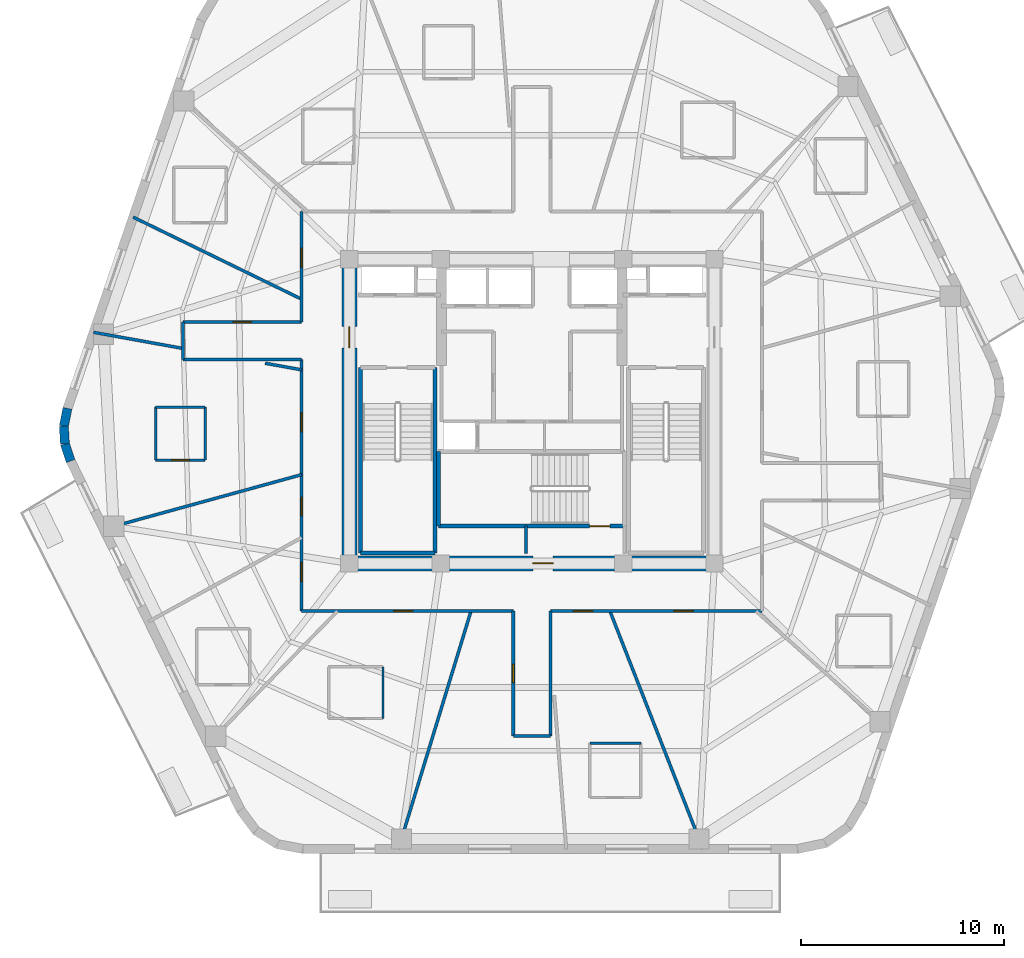
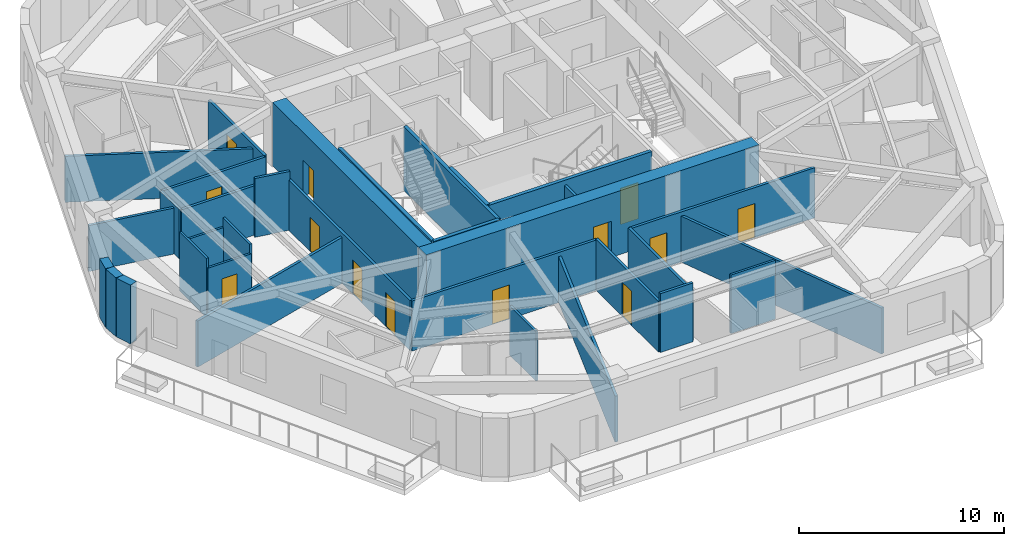
# One storey, part 3 of 10: 33 walls, 13 doors, 13 openings.
"""IFC4 building model written with IfcOpenShell, lengths in metres."""

from ifc_helpers import new_model, si_unit, direction, frame, frame_2d, origin, place, context, subcontext, project, spatial, rectangle, extrude, material, layer, layer_set, type_object, element, fill, save


model = new_model("IFC4")

# Units and contexts
model_context = context("Model", 3, precision=1e-05, world=origin(), true_north=direction((0.0, 1.0)))
body_context = subcontext(model_context, "Body", "Model", "MODEL_VIEW")
ifc_project = project(units=[si_unit("LENGTHUNIT", "METRE"), si_unit("AREAUNIT", "SQUARE_METRE"), si_unit("VOLUMEUNIT", "CUBIC_METRE"), si_unit("PLANEANGLEUNIT", "RADIAN"), si_unit("MASSUNIT", "GRAM", prefix="KILO")], contexts=[model_context])

# Site, building, storey
site_placement = place(None, origin())
site = spatial("IfcSite", under=ifc_project, at=site_placement, CompositionType="ELEMENT")
building_placement = place(site_placement, origin())
building = spatial("IfcBuilding", under=site, at=building_placement, Name="Kilnhurst Terrace Hotel", CompositionType="ELEMENT")
storey_placement = place(building_placement, frame((0.0, 0.0, 244.5)))
storey = spatial("IfcBuildingStorey", under=building, at=storey_placement, Name="L61", CompositionType="ELEMENT", Elevation=244.5)

# Walls
ifc_material_1 = material(Name="Precast concrete C40/50", Category="concrete")
ifc_layer_1 = layer(ifc_material_1, 0.449951171875, Name="Precast concrete C40/50")
ifc_layer_set_1 = layer_set([ifc_layer_1], Name="Precast concrete C40/50")
wall_type_1 = type_object("IfcWallType", Name="WL-BRK-450", PredefinedType="SOLIDWALL", material=ifc_layer_set_1)
wall_1_placement = place(storey_placement, frame((-22.8984375, 0.149658203125, 0.0), z_axis=(0.0, 0.0, 1.0), x_axis=(-0.199055826889, -0.979988151858, 0.0)))
element("IfcWall", 1, at=wall_1_placement, inside=storey, type_object=wall_type_1, Name="L61 Rounded Corner Brick Wall C6.1", PredefinedType="SOLIDWALL", context=body_context, shape_type="SweptSolid", body=[
    extrude(rectangle(XDim=0.89404296875, YDim=0.449951171875, at=frame_2d((0.447021484375, 0.0))), origin(), (0.0, 0.0, 1.0), 3.5),
])
wall_2_placement = place(storey_placement, frame((-23.076416015625, -0.7265625, 0.0), z_axis=(0.0, 0.0, 1.0), x_axis=(0.060805222108, -0.998149650586, 0.0)))
element("IfcWall", 2, at=wall_2_placement, inside=storey, type_object=wall_type_1, Name="L61 Rounded Corner Brick Wall C6.2", PredefinedType="SOLIDWALL", context=body_context, shape_type="SweptSolid", body=[
    extrude(rectangle(XDim=0.87939453125, YDim=0.449951171875, at=frame_2d((0.439697265625, 0.0))), origin(), (0.0, 0.0, 1.0), 3.5),
])
wall_3_placement = place(storey_placement, frame((-23.02294921875, -1.604248046875, 0.0), z_axis=(0.0, 0.0, 1.0), x_axis=(0.316801227695, -0.948491951537, 0.0)))
element("IfcWall", 3, at=wall_3_placement, inside=storey, type_object=wall_type_1, Name="L61 Rounded Corner Brick Wall C6.3", PredefinedType="SOLIDWALL", context=body_context, shape_type="SweptSolid", body=[
    extrude(rectangle(XDim=0.89404296875, YDim=0.449951171875, at=frame_2d((0.447021484375, 0.0))), origin(), (0.0, 0.0, 1.0), 3.5),
])

# Wall, openings, doors
ifc_material_2 = material(Name="Acoustic Double-Gypsum Corridor Partition Assembly")
ifc_layer_2 = layer(ifc_material_2, 0.14990234375, Name="Acoustic Double-Gypsum Corridor Partition Assembly")
ifc_layer_set_2 = layer_set([ifc_layer_2], Name="Acoustic Double-Gypsum Corridor Partition Assembly")
wall_type_2 = type_object("IfcWallType", Name="WL-COR-150", PredefinedType="PARTITIONING", material=ifc_layer_set_2)
wall_4_placement = place(storey_placement, frame((-11.35009765625, -9.85009765625, 0.0), z_axis=(0.0, 0.0, 1.0), x_axis=(0.0, 1.0, 0.0)))
wall_4 = element("IfcWall", 4, at=wall_4_placement, inside=storey, type_object=wall_type_2, Name="L61 Interior Wall WL-L61-COR-01", PredefinedType="PARTITIONING", context=body_context, shape_type="SweptSolid", body=[
    extrude(rectangle(XDim=12.400146484375, YDim=0.14990234375, at=frame_2d((6.2001953125, 0.0))), origin(), (0.0, 0.0, 1.0), 2.989990234375),
])
opening_1_placement = place(wall_4_placement, frame((8.8349609375, 0.0, 0.0)))
opening_1 = element("IfcOpeningElement", 5, at=opening_1_placement, cuts=wall_4, Name="Opening D-60B", PredefinedType="OPENING", context=body_context, shape_type="SweptSolid", body=[
    extrude(rectangle(XDim=0.949951171875, YDim=2.030029296875, at=frame_2d((0.47509765625, 1.01513671875))), frame((0.0, 0.0849609375, 0.0), z_axis=(0.0, -1.0, 0.0), x_axis=(1.0, 0.0, 0.0)), (0.0, 0.0, 1.0), 0.169921875),
])
opening_2_placement = place(wall_4_placement, frame((4.708984375, 0.0, 0.0)))
opening_2 = element("IfcOpeningElement", 6, at=opening_2_placement, cuts=wall_4, Name="Opening D-60C", PredefinedType="OPENING", context=body_context, shape_type="SweptSolid", body=[
    extrude(rectangle(XDim=0.89990234375, YDim=2.030029296875, at=frame_2d((0.449951171875, 1.01513671875))), frame((0.0, 0.0849609375, 0.0), z_axis=(0.0, -1.0, 0.0), x_axis=(1.0, 0.0, 0.0)), (0.0, 0.0, 1.0), 0.169921875),
])
opening_3_placement = place(wall_4_placement, frame((1.45703125, 0.0, 0.0)))
opening_3 = element("IfcOpeningElement", 7, at=opening_3_placement, cuts=wall_4, Name="Opening D-60B", PredefinedType="OPENING", context=body_context, shape_type="SweptSolid", body=[
    extrude(rectangle(XDim=0.949951171875, YDim=2.030029296875, at=frame_2d((0.47509765625, 1.01513671875))), frame((0.0, 0.0849609375, 0.0), z_axis=(0.0, -1.0, 0.0), x_axis=(1.0, 0.0, 0.0)), (0.0, 0.0, 1.0), 0.169921875),
])
ifc_material_3 = material(Name="Painted Solid-Core Service Fire Door")
door_type_1 = type_object("IfcDoorType", Name="DR-FD60-900", OperationType="NOTDEFINED", PredefinedType="DOOR", material=ifc_material_3)
door_1_placement = place(opening_2_placement, origin())
door_1 = element("IfcDoor", 8, at=door_1_placement, inside=storey, type_object=door_type_1, Name="L61 Private Meeting Salon Door 10", OperationType="SINGLE_SWING_RIGHT", OverallHeight=2.030029296875, OverallWidth=0.89990234375, PredefinedType="DOOR", context=body_context, shape_type="SweptSolid", body=[
    extrude(rectangle(XDim=0.89990234375, YDim=2.030029296875, at=frame_2d((0.449951171875, 1.01513671875))), frame((0.0, 0.02490234375, 0.0), z_axis=(0.0, -1.0, 0.0), x_axis=(1.0, 0.0, 0.0)), (0.0, 0.0, 1.0), 0.050048828125),
])
fill(opening_2, door_1)
ifc_material_4 = material(Name="Acoustic Walnut Veneer Solid-Core Fire Door")
door_type_2 = type_object("IfcDoorType", Name="DR-FD60-950", OperationType="NOTDEFINED", PredefinedType="DOOR", material=ifc_material_4)
door_2_placement = place(opening_1_placement, origin())
door_2 = element("IfcDoor", 9, at=door_2_placement, inside=storey, type_object=door_type_2, Name="L61 Executive Suite Entry Door 9", OperationType="SINGLE_SWING_LEFT", OverallHeight=2.030029296875, OverallWidth=0.949951171875, PredefinedType="DOOR", context=body_context, shape_type="SweptSolid", body=[
    extrude(rectangle(XDim=0.949951171875, YDim=2.030029296875, at=frame_2d((0.47509765625, 1.01513671875))), frame((0.0, 0.02490234375, 0.0), z_axis=(0.0, -1.0, 0.0), x_axis=(1.0, 0.0, 0.0)), (0.0, 0.0, 1.0), 0.050048828125),
])
fill(opening_1, door_2)
door_3_placement = place(opening_3_placement, origin())
door_3 = element("IfcDoor", 10, at=door_3_placement, inside=storey, type_object=door_type_2, Name="L61 Guest Room Entry Door 11", OperationType="SINGLE_SWING_LEFT", OverallHeight=2.030029296875, OverallWidth=0.949951171875, PredefinedType="DOOR", context=body_context, shape_type="SweptSolid", body=[
    extrude(rectangle(XDim=0.949951171875, YDim=2.030029296875, at=frame_2d((0.47509765625, 1.01513671875))), frame((0.0, 0.02490234375, 0.0), z_axis=(0.0, -1.0, 0.0), x_axis=(1.0, 0.0, 0.0)), (0.0, 0.0, 1.0), 0.050048828125),
])
fill(opening_3, door_3)

# Walls
wall_5_placement = place(storey_placement, frame((-11.35009765625, 2.550048828125, 0.0), z_axis=(0.0, 0.0, 1.0), x_axis=(-1.0, 0.0, 0.0)))
element("IfcWall", 11, at=wall_5_placement, inside=storey, type_object=wall_type_2, Name="L61 Interior Wall WL-L61-COR-02", PredefinedType="PARTITIONING", context=body_context, shape_type="SweptSolid", body=[
    extrude(rectangle(XDim=5.849853515625, YDim=0.14990234375, at=frame_2d((2.9248046875, 0.0))), origin(), (0.0, 0.0, 1.0), 2.9404296875),
])
wall_6_placement = place(storey_placement, frame((-17.199951171875, 2.550048828125, 0.0), z_axis=(0.0, 0.0, 1.0), x_axis=(0.0, 1.0, 0.0)))
element("IfcWall", 12, at=wall_6_placement, inside=storey, type_object=wall_type_2, Name="L61 Interior Wall WL-L61-COR-03", PredefinedType="PARTITIONING", context=body_context, shape_type="SweptSolid", body=[
    extrude(rectangle(XDim=1.849853515625, YDim=0.14990234375, at=frame_2d((0.9248046875, 0.0))), origin(), (0.0, 0.0, 1.0), 2.9404296875),
])

# Wall, opening, door
wall_7_placement = place(storey_placement, frame((-17.199951171875, 4.39990234375, 0.0), z_axis=(0.0, 0.0, 1.0), x_axis=(1.0, 0.0, 0.0)))
wall_7 = element("IfcWall", 13, at=wall_7_placement, inside=storey, type_object=wall_type_2, Name="L61 Interior Wall WL-L61-COR-04", PredefinedType="PARTITIONING", context=body_context, shape_type="SweptSolid", body=[
    extrude(rectangle(XDim=5.849853515625, YDim=0.14990234375, at=frame_2d((2.9248046875, 0.0))), origin(), (0.0, 0.0, 1.0), 2.9404296875),
])
opening_4_placement = place(wall_7_placement, frame((2.47509765625, 0.0, 0.0)))
opening_4 = element("IfcOpeningElement", 14, at=opening_4_placement, cuts=wall_7, Name="Opening D-60C", PredefinedType="OPENING", context=body_context, shape_type="SweptSolid", body=[
    extrude(rectangle(XDim=0.89990234375, YDim=2.030029296875, at=frame_2d((0.449951171875, 1.01513671875))), frame((0.0, 0.0849609375, 0.0), z_axis=(0.0, -1.0, 0.0), x_axis=(1.0, 0.0, 0.0)), (0.0, 0.0, 1.0), 0.169921875),
])
door_4_placement = place(opening_4_placement, origin())
door_4 = element("IfcDoor", 15, at=door_4_placement, inside=storey, type_object=door_type_1, Name="L61 Botanical Reading Lounge Door 8", OperationType="SINGLE_SWING_RIGHT", OverallHeight=2.030029296875, OverallWidth=0.89990234375, PredefinedType="DOOR", context=body_context, shape_type="SweptSolid", body=[
    extrude(rectangle(XDim=0.89990234375, YDim=2.030029296875, at=frame_2d((0.449951171875, 1.01513671875))), frame((0.0, 0.02490234375, 0.0), z_axis=(0.0, -1.0, 0.0), x_axis=(1.0, 0.0, 0.0)), (0.0, 0.0, 1.0), 0.050048828125),
])
fill(opening_4, door_4)

wall_8_placement = place(storey_placement, frame((-11.35009765625, 4.39990234375, 0.0), z_axis=(0.0, 0.0, 1.0), x_axis=(0.0, 1.0, 0.0)))
wall_8 = element("IfcWall", 16, at=wall_8_placement, inside=storey, type_object=wall_type_2, Name="L61 Interior Wall WL-L61-COR-05", PredefinedType="PARTITIONING", context=body_context, shape_type="SweptSolid", body=[
    extrude(rectangle(XDim=5.4501953125, YDim=0.14990234375, at=frame_2d((2.72509765625, 0.0))), origin(), (0.0, 0.0, 1.0), 2.989990234375),
])
opening_5_placement = place(wall_8_placement, frame((2.694091796875, 0.0, 0.0)))
opening_5 = element("IfcOpeningElement", 17, at=opening_5_placement, cuts=wall_8, Name="Opening D-60B", PredefinedType="OPENING", context=body_context, shape_type="SweptSolid", body=[
    extrude(rectangle(XDim=0.949951171875, YDim=2.030029296875, at=frame_2d((0.47509765625, 1.01513671875))), frame((0.0, 0.0849609375, 0.0), z_axis=(0.0, -1.0, 0.0), x_axis=(1.0, 0.0, 0.0)), (0.0, 0.0, 1.0), 0.169921875),
])
door_5_placement = place(opening_5_placement, origin())
door_5 = element("IfcDoor", 18, at=door_5_placement, inside=storey, type_object=door_type_2, Name="L61 Guest Room Entry Door 7", OperationType="SINGLE_SWING_LEFT", OverallHeight=2.030029296875, OverallWidth=0.949951171875, PredefinedType="DOOR", context=body_context, shape_type="SweptSolid", body=[
    extrude(rectangle(XDim=0.949951171875, YDim=2.030029296875, at=frame_2d((0.47509765625, 1.01513671875))), frame((0.0, 0.02490234375, 0.0), z_axis=(0.0, -1.0, 0.0), x_axis=(1.0, 0.0, 0.0)), (0.0, 0.0, 1.0), 0.050048828125),
])
fill(opening_5, door_5)

# Wall, openings, doors
wall_9_placement = place(storey_placement, frame((11.35009765625, -9.85009765625, 0.0), z_axis=(0.0, 0.0, 1.0), x_axis=(-1.0, 0.0, 0.0)))
wall_9 = element("IfcWall", 19, at=wall_9_placement, inside=storey, type_object=wall_type_2, Name="L61 Interior Wall WL-L61-COR-16", PredefinedType="PARTITIONING", context=body_context, shape_type="SweptSolid", body=[
    extrude(rectangle(XDim=10.43017578125, YDim=0.14990234375, at=frame_2d((5.215087890625, 0.0))), origin(), (0.0, 0.0, 1.0), 2.989990234375),
])
opening_6_placement = place(wall_9_placement, frame((8.362060546875, 0.0, 0.0)))
opening_6 = element("IfcOpeningElement", 20, at=opening_6_placement, cuts=wall_9, Name="Opening D-60B", PredefinedType="OPENING", context=body_context, shape_type="SweptSolid", body=[
    extrude(rectangle(XDim=0.949951171875, YDim=2.030029296875, at=frame_2d((0.47509765625, 1.01513671875))), frame((0.0, 0.0849609375, 0.0), z_axis=(0.0, -1.0, 0.0), x_axis=(1.0, 0.0, 0.0)), (0.0, 0.0, 1.0), 0.169921875),
])
opening_7_placement = place(wall_9_placement, frame((3.39599609375, 0.0, 0.0)))
opening_7 = element("IfcOpeningElement", 21, at=opening_7_placement, cuts=wall_9, Name="Opening D-60B", PredefinedType="OPENING", context=body_context, shape_type="SweptSolid", body=[
    extrude(rectangle(XDim=0.949951171875, YDim=2.030029296875, at=frame_2d((0.47509765625, 1.01513671875))), frame((0.0, 0.0849609375, 0.0), z_axis=(0.0, -1.0, 0.0), x_axis=(1.0, 0.0, 0.0)), (0.0, 0.0, 1.0), 0.169921875),
])
door_6_placement = place(opening_6_placement, origin())
door_6 = element("IfcDoor", 22, at=door_6_placement, inside=storey, type_object=door_type_2, Name="L61 Guest Room Entry Door 14", OperationType="SINGLE_SWING_RIGHT", OverallHeight=2.030029296875, OverallWidth=0.949951171875, PredefinedType="DOOR", context=body_context, shape_type="SweptSolid", body=[
    extrude(rectangle(XDim=0.949951171875, YDim=2.030029296875, at=frame_2d((0.47509765625, 1.01513671875))), frame((0.0, 0.02490234375, 0.0), z_axis=(0.0, -1.0, 0.0), x_axis=(1.0, 0.0, 0.0)), (0.0, 0.0, 1.0), 0.050048828125),
])
fill(opening_6, door_6)
door_7_placement = place(opening_7_placement, origin())
door_7 = element("IfcDoor", 23, at=door_7_placement, inside=storey, type_object=door_type_2, Name="L61 Private Dining Salon Door", OperationType="SINGLE_SWING_LEFT", OverallHeight=2.030029296875, OverallWidth=0.949951171875, PredefinedType="DOOR", context=body_context, shape_type="SweptSolid", body=[
    extrude(rectangle(XDim=0.949951171875, YDim=2.030029296875, at=frame_2d((0.47509765625, 1.01513671875))), frame((0.0, 0.02490234375, 0.0), z_axis=(0.0, -1.0, 0.0), x_axis=(1.0, 0.0, 0.0)), (0.0, 0.0, 1.0), 0.050048828125),
])
fill(opening_7, door_7)

# Walls
wall_10_placement = place(storey_placement, frame((0.919921875, -9.85009765625, 0.0), z_axis=(0.0, 0.0, 1.0), x_axis=(0.0, -1.0, 0.0)))
element("IfcWall", 24, at=wall_10_placement, inside=storey, type_object=wall_type_2, Name="L61 Interior Wall WL-L61-COR-17", PredefinedType="PARTITIONING", context=body_context, shape_type="SweptSolid", body=[
    extrude(rectangle(XDim=6.14990234375, YDim=0.14990234375, at=frame_2d((3.074951171875, 0.0))), origin(), (0.0, 0.0, 1.0), 3.026611328125),
])
wall_11_placement = place(storey_placement, frame((0.919921875, -16.0, 0.0), z_axis=(0.0, 0.0, 1.0), x_axis=(-1.0, 0.0, 0.0)))
element("IfcWall", 25, at=wall_11_placement, inside=storey, type_object=wall_type_2, Name="L61 Interior Wall WL-L61-COR-18", PredefinedType="PARTITIONING", context=body_context, shape_type="SweptSolid", body=[
    extrude(rectangle(XDim=1.83984375, YDim=0.14990234375, at=frame_2d((0.919921875, 0.0))), origin(), (0.0, 0.0, 1.0), 3.5),
])

# Wall, opening, door
wall_12_placement = place(storey_placement, frame((-0.919921875, -16.0, 0.0), z_axis=(0.0, 0.0, 1.0), x_axis=(0.0, 1.0, 0.0)))
wall_12 = element("IfcWall", 26, at=wall_12_placement, inside=storey, type_object=wall_type_2, Name="L61 Interior Wall WL-L61-COR-19", PredefinedType="PARTITIONING", context=body_context, shape_type="SweptSolid", body=[
    extrude(rectangle(XDim=6.14990234375, YDim=0.14990234375, at=frame_2d((3.074951171875, 0.0))), origin(), (0.0, 0.0, 1.0), 3.026611328125),
])
opening_8_placement = place(wall_12_placement, frame((2.625, 0.0, 0.0)))
opening_8 = element("IfcOpeningElement", 27, at=opening_8_placement, cuts=wall_12, Name="Opening D-60C", PredefinedType="OPENING", context=body_context, shape_type="SweptSolid", body=[
    extrude(rectangle(XDim=0.89990234375, YDim=2.030029296875, at=frame_2d((0.449951171875, 1.01513671875))), frame((0.0, 0.0849609375, 0.0), z_axis=(0.0, -1.0, 0.0), x_axis=(1.0, 0.0, 0.0)), (0.0, 0.0, 1.0), 0.169921875),
])
door_8_placement = place(opening_8_placement, origin())
door_8 = element("IfcDoor", 28, at=door_8_placement, inside=storey, type_object=door_type_1, Name="L61 Wellness Consultation Room Door 13", OperationType="SINGLE_SWING_LEFT", OverallHeight=2.030029296875, OverallWidth=0.89990234375, PredefinedType="DOOR", context=body_context, shape_type="SweptSolid", body=[
    extrude(rectangle(XDim=0.89990234375, YDim=2.030029296875, at=frame_2d((0.449951171875, 1.01513671875))), frame((0.0, 0.02490234375, 0.0), z_axis=(0.0, -1.0, 0.0), x_axis=(1.0, 0.0, 0.0)), (0.0, 0.0, 1.0), 0.050048828125),
])
fill(opening_8, door_8)

wall_13_placement = place(storey_placement, frame((-0.919921875, -9.85009765625, 0.0), z_axis=(0.0, 0.0, 1.0), x_axis=(-1.0, 0.0, 0.0)))
wall_13 = element("IfcWall", 29, at=wall_13_placement, inside=storey, type_object=wall_type_2, Name="L61 Interior Wall WL-L61-COR-20", PredefinedType="PARTITIONING", context=body_context, shape_type="SweptSolid", body=[
    extrude(rectangle(XDim=10.43017578125, YDim=0.14990234375, at=frame_2d((5.215087890625, 0.0))), origin(), (0.0, 0.0, 1.0), 2.989990234375),
])
opening_9_placement = place(wall_13_placement, frame((4.948974609375, 0.0, 0.0)))
opening_9 = element("IfcOpeningElement", 30, at=opening_9_placement, cuts=wall_13, Name="Opening D-60B", PredefinedType="OPENING", context=body_context, shape_type="SweptSolid", body=[
    extrude(rectangle(XDim=0.949951171875, YDim=2.030029296875, at=frame_2d((0.47509765625, 1.01513671875))), frame((0.0, 0.0849609375, 0.0), z_axis=(0.0, -1.0, 0.0), x_axis=(1.0, 0.0, 0.0)), (0.0, 0.0, 1.0), 0.169921875),
])
door_9_placement = place(opening_9_placement, origin())
door_9 = element("IfcDoor", 31, at=door_9_placement, inside=storey, type_object=door_type_2, Name="L61 Executive Suite Entry Door 12", OperationType="SINGLE_SWING_RIGHT", OverallHeight=2.030029296875, OverallWidth=0.949951171875, PredefinedType="DOOR", context=body_context, shape_type="SweptSolid", body=[
    extrude(rectangle(XDim=0.949951171875, YDim=2.030029296875, at=frame_2d((0.47509765625, 1.01513671875))), frame((0.0, 0.02490234375, 0.0), z_axis=(0.0, -1.0, 0.0), x_axis=(1.0, 0.0, 0.0)), (0.0, 0.0, 1.0), 0.050048828125),
])
fill(opening_9, door_9)

ifc_material_5 = material(Name="Concrete C60/75", Category="concrete")
ifc_layer_3 = layer(ifc_material_5, 0.75, Name="Concrete C60/75")
ifc_layer_set_3 = layer_set([ifc_layer_3], Name="Concrete C60/75")
wall_type_3 = type_object("IfcWallType", Name="WL-CORE-750", PredefinedType="SHEAR", material=ifc_layer_set_3)
wall_14_placement = place(storey_placement, frame((-9.375, -7.5, 0.0), z_axis=(0.0, 0.0, 1.0), x_axis=(1.0, 0.0, 0.0)))
wall_14 = element("IfcWall", 32, at=wall_14_placement, inside=storey, type_object=wall_type_3, Name="L61 Core South Shear Wall", PredefinedType="SHEAR", context=body_context, shape_type="SweptSolid", body=[
    extrude(rectangle(XDim=18.75, YDim=0.75, at=frame_2d((9.375, 0.0))), origin(), (0.0, 0.0, 1.0), 3.800048828125),
])
opening_10_placement = place(wall_14_placement, frame((9.425048828125, 0.0, 0.0)))
opening_10 = element("IfcOpeningElement", 33, at=opening_10_placement, cuts=wall_14, Name="Opening D-90B", PredefinedType="OPENING", context=body_context, shape_type="SweptSolid", body=[
    extrude(rectangle(XDim=1.0, YDim=2.14990234375, at=frame_2d((0.5, 1.074951171875))), frame((0.0, 0.385009765625, 0.0), z_axis=(0.0, -1.0, 0.0), x_axis=(1.0, 0.0, 0.0)), (0.0, 0.0, 1.0), 0.77001953125),
])
ifc_material_6 = material(Name="Painted Hollow Metal Steel ASTM A36 Fire Door", Category="steel")
door_type_3 = type_object("IfcDoorType", Name="DR-FD90-1000", OperationType="NOTDEFINED", PredefinedType="DOOR", material=ifc_material_6)
door_10_placement = place(opening_10_placement, origin())
door_10 = element("IfcDoor", 34, at=door_10_placement, inside=storey, type_object=door_type_3, Name="L61 Stair ST-3 Corridor Door", OperationType="SINGLE_SWING_RIGHT", OverallHeight=2.14990234375, OverallWidth=1.0, PredefinedType="DOOR", context=body_context, shape_type="SweptSolid", body=[
    extrude(rectangle(XDim=1.0, YDim=2.14990234375, at=frame_2d((0.5, 1.074951171875))), frame((0.0, 0.02490234375, 0.0), z_axis=(0.0, -1.0, 0.0), x_axis=(1.0, 0.0, 0.0)), (0.0, 0.0, 1.0), 0.050048828125),
])
fill(opening_10, door_10)

wall_15_placement = place(storey_placement, frame((-9.0, -7.125, 0.0), z_axis=(0.0, 0.0, 1.0), x_axis=(0.0, 1.0, 0.0)))
wall_15 = element("IfcWall", 35, at=wall_15_placement, inside=storey, type_object=wall_type_3, Name="L61 Core West Shear Wall", PredefinedType="SHEAR", context=body_context, shape_type="SweptSolid", body=[
    extrude(rectangle(XDim=14.25, YDim=0.75, at=frame_2d((7.125, 0.0))), origin(), (0.0, 0.0, 1.0), 3.800048828125),
])
opening_11_placement = place(wall_15_placement, frame((10.25, 0.0, 0.0)))
opening_11 = element("IfcOpeningElement", 36, at=opening_11_placement, cuts=wall_15, Name="Opening D-90A", PredefinedType="OPENING", context=body_context, shape_type="SweptSolid", body=[
    extrude(rectangle(XDim=1.050048828125, YDim=2.14990234375, at=frame_2d((0.52490234375, 1.074951171875))), frame((0.0, 0.385009765625, 0.0), z_axis=(0.0, -1.0, 0.0), x_axis=(1.0, 0.0, 0.0)), (0.0, 0.0, 1.0), 0.77001953125),
])
door_type_4 = type_object("IfcDoorType", Name="DR-FD90-1050", OperationType="NOTDEFINED", PredefinedType="DOOR", material=ifc_material_6)
door_11_placement = place(opening_11_placement, origin())
door_11 = element("IfcDoor", 37, at=door_11_placement, inside=storey, type_object=door_type_4, Name="L61 West Firefighting Lobby Door", OperationType="SINGLE_SWING_RIGHT", OverallHeight=2.14990234375, OverallWidth=1.050048828125, PredefinedType="DOOR", context=body_context, shape_type="SweptSolid", body=[
    extrude(rectangle(XDim=1.050048828125, YDim=2.14990234375, at=frame_2d((0.52490234375, 1.074951171875))), frame((0.0, 0.02490234375, 0.0), z_axis=(0.0, -1.0, 0.0), x_axis=(1.0, 0.0, 0.0)), (0.0, 0.0, 1.0), 0.050048828125),
])
fill(opening_11, door_11)

# Walls
ifc_material_7 = material(Name="STC-58 Acoustic Twin-Frame Guestroom Demising Partition")
ifc_layer_4 = layer(ifc_material_7, 0.14990234375, Name="STC-58 Acoustic Twin-Frame Guestroom Demising Partition")
ifc_layer_set_4 = layer_set([ifc_layer_4], Name="STC-58 Acoustic Twin-Frame Guestroom Demising Partition")
wall_type_4 = type_object("IfcWallType", Name="WL-DEM-150", PredefinedType="PARTITIONING", material=ifc_layer_set_4)
wall_16_placement = place(storey_placement, frame((-11.35009765625, 5.528076171875, 0.0), z_axis=(0.0, 0.0, 1.0), x_axis=(-0.899038669565, 0.437869239188, 0.0)))
element("IfcWall", 38, at=wall_16_placement, inside=storey, type_object=wall_type_4, Name="L61 Interior Wall WL-L61-DEM-MID05-08-1", PredefinedType="PARTITIONING", context=body_context, shape_type="SweptSolid", body=[
    extrude(rectangle(XDim=9.24169921875, YDim=0.14990234375, at=frame_2d((4.620849609375, 0.0))), origin(), (0.0, 0.0, 1.0), 2.739990234375),
])
wall_17_placement = place(storey_placement, frame((-11.35009765625, 2.046142578125, 0.0), z_axis=(0.0, 0.0, 1.0), x_axis=(-0.984127783205, 0.177461281195, 0.0)))
element("IfcWall", 39, at=wall_17_placement, inside=storey, type_object=wall_type_4, Name="L61 Interior Wall WL-L61-DEM-COL06-09-1", PredefinedType="PARTITIONING", context=body_context, shape_type="SweptSolid", body=[
    extrude(rectangle(XDim=1.82568359375, YDim=0.14990234375, at=frame_2d((0.912841796875, 0.0))), origin(), (0.0, 0.0, 1.0), 3.5),
])
wall_18_placement = place(storey_placement, frame((-17.199951171875, 3.1005859375, 0.0), z_axis=(0.0, 0.0, 1.0), x_axis=(-0.98413465883, 0.177423147559, 0.0)))
element("IfcWall", 40, at=wall_18_placement, inside=storey, type_object=wall_type_4, Name="L61 Interior Wall WL-L61-DEM-COL06-09-2", PredefinedType="PARTITIONING", context=body_context, shape_type="SweptSolid", body=[
    extrude(rectangle(XDim=4.481689453125, YDim=0.14990234375, at=frame_2d((2.24072265625, 0.0))), origin(), (0.0, 0.0, 1.0), 2.739990234375),
])
wall_19_placement = place(storey_placement, frame((-11.35009765625, -3.12060546875, 0.0), z_axis=(0.0, 0.0, 1.0), x_axis=(-0.964212793822, -0.265129568758, 0.0)))
element("IfcWall", 41, at=wall_19_placement, inside=storey, type_object=wall_type_4, Name="L61 Interior Wall WL-L61-DEM-COL07-10-1", PredefinedType="PARTITIONING", context=body_context, shape_type="SweptSolid", body=[
    extrude(rectangle(XDim=10.119873046875, YDim=0.14990234375, at=frame_2d((5.06005859375, 0.0))), origin(), (0.0, 0.0, 1.0), 2.739990234375),
])
wall_20_placement = place(storey_placement, frame((-3.00439453125, -9.85009765625, 0.0), z_axis=(0.0, 0.0, 1.0), x_axis=(-0.291775760688, -0.956486751333, 0.0)))
element("IfcWall", 42, at=wall_20_placement, inside=storey, type_object=wall_type_4, Name="L61 Interior Wall WL-L61-DEM-COL09-13-1", PredefinedType="PARTITIONING", context=body_context, shape_type="SweptSolid", body=[
    extrude(rectangle(XDim=12.25830078125, YDim=0.14990234375, at=frame_2d((6.129150390625, 0.0))), origin(), (0.0, 0.0, 1.0), 2.739990234375),
])
wall_21_placement = place(storey_placement, frame((3.848388671875, -9.85009765625, 0.0), z_axis=(0.0, 0.0, 1.0), x_axis=(0.363921778212, -0.931429513889, 0.0)))
element("IfcWall", 43, at=wall_21_placement, inside=storey, type_object=wall_type_4, Name="L61 Interior Wall WL-L61-DEM-COL10-15-1", PredefinedType="PARTITIONING", context=body_context, shape_type="SweptSolid", body=[
    extrude(rectangle(XDim=12.588134765625, YDim=0.14990234375, at=frame_2d((6.2939453125, 0.0))), origin(), (0.0, 0.0, 1.0), 2.739990234375),
])

# Wall, opening, door
ifc_material_8 = material(Name="120 mm Moisture-Resistant Tile-Backed Bathroom Partition")
ifc_layer_5 = layer(ifc_material_8, 0.1201171875, Name="120 mm Moisture-Resistant Tile-Backed Bathroom Partition")
ifc_layer_set_5 = layer_set([ifc_layer_5], Name="120 mm Moisture-Resistant Tile-Backed Bathroom Partition")
wall_type_5 = type_object("IfcWallType", Name="WL-PART-120", PredefinedType="PARTITIONING", material=ifc_layer_set_5)
wall_22_placement = place(storey_placement, frame((-18.5458984375, -2.406005859375, 0.0), z_axis=(0.0, 0.0, 1.0), x_axis=(1.0, 0.0, 0.0)))
wall_22 = element("IfcWall", 44, at=wall_22_placement, inside=storey, type_object=wall_type_5, Name="L61 Interior Wall WL-L61-BTH-09-1", PredefinedType="PARTITIONING", context=body_context, shape_type="SweptSolid", body=[
    extrude(rectangle(XDim=2.43994140625, YDim=0.1201171875, at=frame_2d((1.219970703125, 0.0))), origin(), (0.0, 0.0, 1.0), 2.9404296875),
])
opening_12_placement = place(wall_22_placement, frame((0.794921875, 0.0, 0.0)))
opening_12 = element("IfcOpeningElement", 45, at=opening_12_placement, cuts=wall_22, Name="Opening D-08A", PredefinedType="OPENING", context=body_context, shape_type="SweptSolid", body=[
    extrude(rectangle(XDim=0.85009765625, YDim=2.030029296875, at=frame_2d((0.425048828125, 1.01513671875))), frame((0.0, 0.070068359375, 0.0), z_axis=(0.0, -1.0, 0.0), x_axis=(1.0, 0.0, 0.0)), (0.0, 0.0, 1.0), 0.14013671875),
])
ifc_material_9 = material(Name="Moisture-Resistant Lacquered En-suite Bathroom Door")
door_type_5 = type_object("IfcDoorType", Name="DR-INT-850", OperationType="NOTDEFINED", PredefinedType="DOOR", material=ifc_material_9)
door_12_placement = place(opening_12_placement, origin())
door_12 = element("IfcDoor", 46, at=door_12_placement, inside=storey, type_object=door_type_5, Name="L61 En-suite Bathroom Door 9", OperationType="SINGLE_SWING_RIGHT", OverallHeight=2.030029296875, OverallWidth=0.85009765625, PredefinedType="DOOR", context=body_context, shape_type="SweptSolid", body=[
    extrude(rectangle(XDim=0.85009765625, YDim=2.030029296875, at=frame_2d((0.425048828125, 1.01513671875))), frame((0.0, 0.02490234375, 0.0), z_axis=(0.0, -1.0, 0.0), x_axis=(1.0, 0.0, 0.0)), (0.0, 0.0, 1.0), 0.050048828125),
])
fill(opening_12, door_12)

# Walls
wall_23_placement = place(storey_placement, frame((-16.10595703125, -2.406005859375, 0.0), z_axis=(0.0, 0.0, 1.0), x_axis=(0.0, 1.0, 0.0)))
element("IfcWall", 47, at=wall_23_placement, inside=storey, type_object=wall_type_5, Name="L61 Interior Wall WL-L61-BTH-09-2", PredefinedType="PARTITIONING", context=body_context, shape_type="SweptSolid", body=[
    extrude(rectangle(XDim=2.610107421875, YDim=0.1201171875, at=frame_2d((1.30517578125, 0.0))), origin(), (0.0, 0.0, 1.0), 3.5),
])
wall_24_placement = place(storey_placement, frame((-16.10595703125, 0.2041015625, 0.0), z_axis=(0.0, 0.0, 1.0), x_axis=(-1.0, 0.0, 0.0)))
element("IfcWall", 48, at=wall_24_placement, inside=storey, type_object=wall_type_5, Name="L61 Interior Wall WL-L61-BTH-09-3", PredefinedType="PARTITIONING", context=body_context, shape_type="SweptSolid", body=[
    extrude(rectangle(XDim=2.43994140625, YDim=0.1201171875, at=frame_2d((1.219970703125, 0.0))), origin(), (0.0, 0.0, 1.0), 2.9404296875),
])
wall_25_placement = place(storey_placement, frame((-18.5458984375, 0.2041015625, 0.0), z_axis=(0.0, 0.0, 1.0), x_axis=(0.0, -1.0, 0.0)))
element("IfcWall", 49, at=wall_25_placement, inside=storey, type_object=wall_type_5, Name="L61 Interior Wall WL-L61-BTH-09-4", PredefinedType="PARTITIONING", context=body_context, shape_type="SweptSolid", body=[
    extrude(rectangle(XDim=2.610107421875, YDim=0.1201171875, at=frame_2d((1.30517578125, 0.0))), origin(), (0.0, 0.0, 1.0), 3.5),
])
wall_26_placement = place(storey_placement, frame((-7.343017578125, -15.14208984375, 0.0), z_axis=(0.0, 0.0, 1.0), x_axis=(0.0, 1.0, 0.0)))
element("IfcWall", 50, at=wall_26_placement, inside=storey, type_object=wall_type_5, Name="L61 Interior Wall WL-L61-BTH-12-2", PredefinedType="PARTITIONING", context=body_context, shape_type="SweptSolid", body=[
    extrude(rectangle(XDim=2.5400390625, YDim=0.1201171875, at=frame_2d((1.27001953125, 0.0))), origin(), (0.0, 0.0, 1.0), 2.9404296875),
])
wall_27_placement = place(storey_placement, frame((5.3740234375, -16.35693359375, 0.0), z_axis=(0.0, 0.0, 1.0), x_axis=(-1.0, 0.0, 0.0)))
element("IfcWall", 51, at=wall_27_placement, inside=storey, type_object=wall_type_5, Name="L61 Interior Wall WL-L61-BTH-14-3", PredefinedType="PARTITIONING", context=body_context, shape_type="SweptSolid", body=[
    extrude(rectangle(XDim=2.52001953125, YDim=0.1201171875, at=frame_2d((1.260009765625, 0.0))), origin(), (0.0, 0.0, 1.0), 3.5),
])
ifc_material_10 = material(Name="Fire-Rated Gypsum Shaftliner Assembly")
ifc_layer_6 = layer(ifc_material_10, 0.14990234375, Name="Fire-Rated Gypsum Shaftliner Assembly")
ifc_layer_set_6 = layer_set([ifc_layer_6], Name="Fire-Rated Gypsum Shaftliner Assembly")
wall_type_6 = type_object("IfcWallType", Name="WL-SHAFT-150", PredefinedType="PARTITIONING", material=ifc_layer_set_6)
wall_28_placement = place(storey_placement, frame((-0.300048828125, -7.02001953125, 0.0), z_axis=(0.0, 0.0, 1.0), x_axis=(0.0, 1.0, 0.0)))
element("IfcWall", 52, at=wall_28_placement, inside=storey, type_object=wall_type_6, Name="L61 Interior Wall WL-L61-ST3-PSGW", PredefinedType="PARTITIONING", context=body_context, shape_type="SweptSolid", body=[
    extrude(rectangle(XDim=1.362060546875, YDim=0.14990234375, at=frame_2d((0.68115234375, 0.0))), origin(), (0.0, 0.0, 1.0), 3.5),
])
ifc_material_11 = material(Name="Concrete C50/60", Category="concrete")
ifc_layer_7 = layer(ifc_material_11, 0.199951171875, Name="Concrete C50/60")
ifc_layer_set_7 = layer_set([ifc_layer_7], Name="Concrete C50/60")
wall_type_7 = type_object("IfcWallType", Name="WL-STAIR-RC-200", PredefinedType="SHEAR", material=ifc_layer_set_7)
for number, where, z_axis, x_axis, name in (
    (53, (-8.4580078125, -6.985107421875, 0.0), (0.0, 0.0, 1.0), (0.0, 1.0, 0.0), "L61 Structural Stair Shaft Wall WL-L61-ST1-W"),
    (54, (-4.77197265625, -6.985107421875, 0.0), (0.0, 0.0, 1.0), (0.0, 1.0, 0.0), "L61 Structural Stair Shaft Wall WL-L61-ST1-E"),
):
    element("IfcWall", number, at=place(storey_placement, frame(where, z_axis=z_axis, x_axis=x_axis)), inside=storey, type_object=wall_type_7, Name=name, PredefinedType="SHEAR", context=body_context, shape_type="SweptSolid", body=[
        extrude(rectangle(XDim=9.14306640625, YDim=0.199951171875, at=frame_2d((4.571533203125, 0.0))), origin(), (0.0, 0.0, 1.0), 3.800048828125),
    ])
for number, where, z_axis, x_axis, name in (
    (55, (-8.4580078125, -6.985107421875, 0.0), (0.0, 0.0, 1.0), (1.0, 0.0, 0.0), "L61 Structural Stair Shaft Wall WL-L61-ST1-S"),
    (56, (-4.60791015625, -5.657958984375, 0.0), (0.0, 0.0, 1.0), (0.0, 1.0, 0.0), "L61 Structural Stair Shaft Wall WL-L61-ST3-W"),
):
    element("IfcWall", number, at=place(storey_placement, frame(where, z_axis=z_axis, x_axis=x_axis)), inside=storey, type_object=wall_type_7, Name=name, PredefinedType="SHEAR", context=body_context, shape_type="SweptSolid", body=[
        extrude(rectangle(XDim=3.68603515625, YDim=0.199951171875, at=frame_2d((1.843017578125, 0.0))), origin(), (0.0, 0.0, 1.0), 3.800048828125),
    ])

# Wall, opening, door
wall_29_placement = place(storey_placement, frame((-4.60791015625, -5.657958984375, 0.0), z_axis=(0.0, 0.0, 1.0), x_axis=(1.0, 0.0, 0.0)))
wall_29 = element("IfcWall", 57, at=wall_29_placement, inside=storey, type_object=wall_type_7, Name="L61 Structural Stair Shaft Wall WL-L61-ST3-S", PredefinedType="SHEAR", context=body_context, shape_type="SweptSolid", body=[
    extrude(rectangle(XDim=9.166015625, YDim=0.199951171875, at=frame_2d((4.5830078125, 0.0))), origin(), (0.0, 0.0, 1.0), 3.800048828125),
])
opening_13_placement = place(wall_29_placement, frame((7.449951171875, 0.0, 0.0)))
opening_13 = element("IfcOpeningElement", 58, at=opening_13_placement, cuts=wall_29, Name="Opening D-90B", PredefinedType="OPENING", context=body_context, shape_type="SweptSolid", body=[
    extrude(rectangle(XDim=1.0, YDim=2.14990234375, at=frame_2d((0.5, 1.074951171875))), frame((0.0, 0.10986328125, 0.0), z_axis=(0.0, -1.0, 0.0), x_axis=(1.0, 0.0, 0.0)), (0.0, 0.0, 1.0), 0.219970703125),
])
door_13_placement = place(opening_13_placement, origin())
door_13 = element("IfcDoor", 59, at=door_13_placement, inside=storey, type_object=door_type_3, Name="L61 Stair ST-3 Shaft Door", OperationType="SINGLE_SWING_LEFT", OverallHeight=2.14990234375, OverallWidth=1.0, PredefinedType="DOOR", context=body_context, shape_type="SweptSolid", body=[
    extrude(rectangle(XDim=1.0, YDim=2.14990234375, at=frame_2d((0.5, 1.074951171875))), frame((0.0, 0.02490234375, 0.0), z_axis=(0.0, -1.0, 0.0), x_axis=(1.0, 0.0, 0.0)), (0.0, 0.0, 1.0), 0.050048828125),
])
fill(opening_13, door_13)

save(model, "model.ifc")
